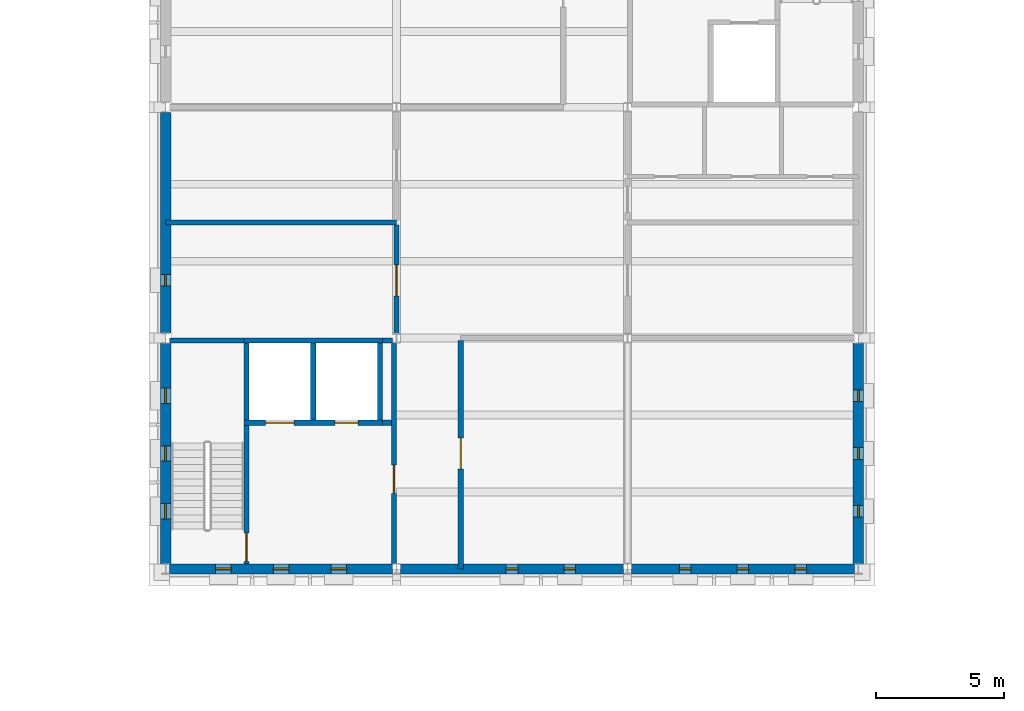
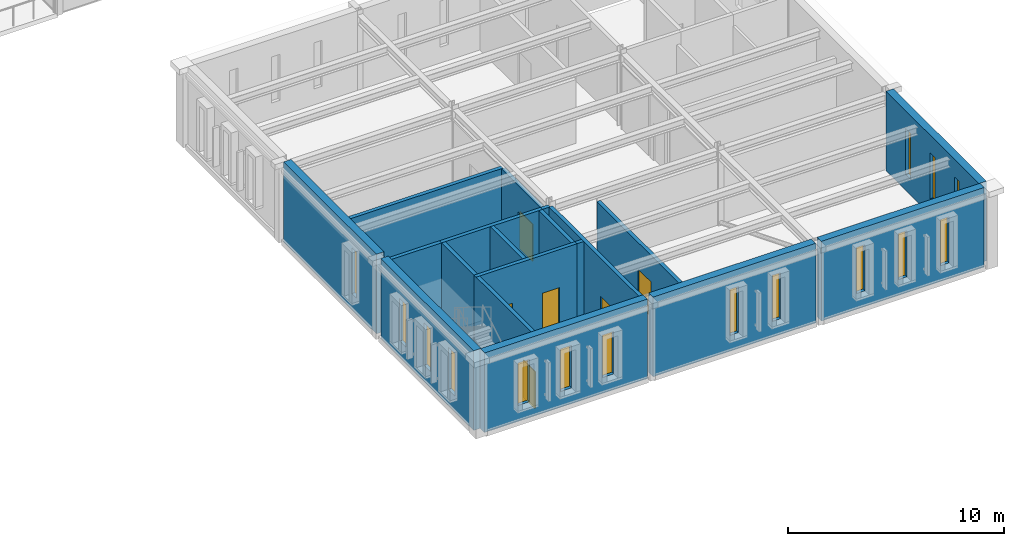
# One storey, part 49 of 70: 19 walls, 15 windows, 6 doors, 21 openings.
"""IFC4 building model written with IfcOpenShell, lengths in metres."""

import ifcopenshell
import ifcopenshell.guid

model = None  # the IFC model being written
_history = None  # IfcOwnerHistory: only IFC2X3 demands one
_inside = {}  # id of a spatial element -> (the spatial element, [elements in it])
_under = {}  # id of a project, library or spatial element -> (it, [spatial elements below it])
_declared = {}  # id of a project -> (the project, [libraries it declares])
_typed = {}  # id of a type object -> (the type object, [elements of that type])
_made_of = {}  # id of a material, layer set ... -> (it, [elements and type objects made of it])


def new_model(schema):
    """Start an empty IFC model of exactly this schema.

    Asked for "IFC4X3", IfcOpenShell would pick the latest addendum, in which some entities
    have other attributes; the version numbers below select the first issue.
    IFC2X3 requires an IfcOwnerHistory on every rooted entity: one is made here for all.
    """
    global model, _history
    if schema == "IFC4X3":
        model = ifcopenshell.file(schema_version=(4, 3, 0, 0))
    else:
        model = ifcopenshell.file(schema=schema)
    _inside.clear()
    _under.clear()
    _declared.clear()
    _typed.clear()
    _made_of.clear()
    _history = None
    if model.schema == "IFC2X3":
        org = make("IfcOrganization", Name="unknown")
        user = make(
            "IfcPersonAndOrganization",
            ThePerson=make("IfcPerson", FamilyName="unknown"),
            TheOrganization=org,
        )
        app = make(
            "IfcApplication",
            ApplicationDeveloper=org,
            Version="unknown",
            ApplicationFullName="unknown",
            ApplicationIdentifier="unknown",
        )
        _history = make(
            "IfcOwnerHistory",
            OwningUser=user,
            OwningApplication=app,
            ChangeAction="ADDED",
            CreationDate=0,
        )
    return model


def make(cls, **values):
    """One entity of the class cls with the attributes given. An attribute that is None is left unset."""
    return model.create_entity(
        cls, **{name: value for name, value in values.items() if value is not None}
    )


def rooted(cls, **values):
    """An entity with a GlobalId (a new one), such as an element, a storey or a relation."""
    return make(cls, GlobalId=ifcopenshell.guid.new(), OwnerHistory=_history, **values)


def si_unit(unit_type, name, prefix=None):
    """IfcSIUnit, for example si_unit("LENGTHUNIT", "METRE", prefix="MILLI")."""
    return make("IfcSIUnit", UnitType=unit_type, Prefix=prefix, Name=name)


def assignment(units):
    """IfcUnitAssignment: the units of a project."""
    return None if units is None else make("IfcUnitAssignment", Units=units)


def point(xyz):
    """IfcCartesianPoint."""
    return None if xyz is None else make("IfcCartesianPoint", Coordinates=xyz)


def direction(xyz):
    """IfcDirection."""
    return None if xyz is None else make("IfcDirection", DirectionRatios=xyz)


def frame(location, z_axis=None, x_axis=None):
    """IfcAxis2Placement3D, a coordinate frame: its origin and axes. An axis left out is left unset."""
    return make(
        "IfcAxis2Placement3D",
        Location=point(location),
        Axis=direction(z_axis),
        RefDirection=direction(x_axis),
    )


def frame_2d(location, x_axis=None):
    """IfcAxis2Placement2D, a coordinate frame in the plane: its origin and x axis."""
    return make(
        "IfcAxis2Placement2D", Location=point(location), RefDirection=direction(x_axis)
    )


def origin():
    """The frame at (0, 0, 0) with its axes left unset."""
    return frame((0.0, 0.0, 0.0))


def place(relative_to, where):
    """IfcLocalPlacement: puts the frame where relative to a parent placement (None: the world)."""
    return make(
        "IfcLocalPlacement", PlacementRelTo=relative_to, RelativePlacement=where
    )


def context(
    kind, dimensions, precision=None, world=None, true_north=None, identifier=None
):
    """IfcGeometricRepresentationContext, for example the 3D "Model" context."""
    return make(
        "IfcGeometricRepresentationContext",
        ContextIdentifier=identifier,
        ContextType=kind,
        CoordinateSpaceDimension=dimensions,
        Precision=precision,
        WorldCoordinateSystem=world,
        TrueNorth=true_north,
    )


def subcontext(parent, identifier, kind, view, scale=None):
    """IfcGeometricRepresentationSubContext, for example "Body" below "Model"."""
    return make(
        "IfcGeometricRepresentationSubContext",
        ContextIdentifier=identifier,
        ContextType=kind,
        ParentContext=parent,
        TargetScale=scale,
        TargetView=view,
    )


def project(units=None, contexts=None):
    """IfcProject with its units and contexts."""
    return rooted(
        "IfcProject",
        Name="project",
        RepresentationContexts=contexts,
        UnitsInContext=assignment(units),
    )


def spatial(cls, under=None, at=None, **own):
    """A site, building, storey or space (cls), placed at a placement, below another one or the project."""
    s = rooted(cls, ObjectPlacement=at, **own)
    if under is not None:
        _under.setdefault(under.id(), (under, []))[1].append(s)
    return s


def profile(cls, at=None, kind="AREA", **sizes):
    """A parametric profile (cls). Its sizes go by their IFC names, for example OverallWidth=200.0."""
    return make(cls, ProfileType=kind, Position=at, **sizes)


def rectangle(**sizes):
    """IfcRectangleProfileDef."""
    return profile("IfcRectangleProfileDef", **sizes)


def extrude(swept, where, along, depth):
    """IfcExtrudedAreaSolid: the profile swept, set in the frame where, extruded along a direction by depth."""
    return make(
        "IfcExtrudedAreaSolid",
        SweptArea=swept,
        Position=where,
        ExtrudedDirection=direction(along),
        Depth=depth,
    )


def shape(context_of_items, identifier, shape_type, items):
    """IfcShapeRepresentation: the items that make up one representation, for example the "Body"."""
    return make(
        "IfcShapeRepresentation",
        ContextOfItems=context_of_items,
        RepresentationIdentifier=identifier,
        RepresentationType=shape_type,
        Items=items,
    )


def material(Name=None, Category=None):
    """IfcMaterial."""
    return make("IfcMaterial", Name=Name, Category=Category)


def layer(
    of_material, thickness, ventilated=None, Name=None, Category=None, Priority=None
):
    """IfcMaterialLayer: one layer of a wall or slab, of a material (None: an air gap)."""
    return make(
        "IfcMaterialLayer",
        Material=of_material,
        LayerThickness=thickness,
        IsVentilated=ventilated,
        Name=Name,
        Category=Category,
        Priority=Priority,
    )


def layer_set(layers, Name=None):
    """IfcMaterialLayerSet."""
    return make("IfcMaterialLayerSet", MaterialLayers=layers, LayerSetName=Name)


def made_of(thing, what):
    """Note that an element or type object is made of a material, layer set ...; save() writes the relation."""
    if what is not None:
        _made_of.setdefault(what.id(), (what, []))[1].append(thing)
    return thing


def type_object(cls, material=None, **own):
    """A type object (cls), such as IfcWallType, which elements share."""
    return made_of(rooted(cls, **own), material)


def element(
    cls,
    number,
    at=None,
    inside=None,
    cuts=None,
    type_object=None,
    material=None,
    context=None,
    identifier="Body",
    shape_type=None,
    held_by="IfcProductDefinitionShape",
    body=None,
    shapes=None,
    **own,
):
    """One element of the class cls, such as IfcWall. Its Tag is "e" and its number.

    at: its placement. inside: the storey or other place that contains it. cuts: it is an
    opening in that element (IfcRelVoidsElement). A single representation is given by context,
    identifier, shape_type and body (its items); several are given by shapes. held_by: the class
    of the entity that holds the representations. save() writes the other relations.
    """
    e = rooted(cls, Tag="e%d" % number, ObjectPlacement=at, **own)
    if body is not None:
        shapes = [shape(context, identifier, shape_type, body)]
    if shapes is not None:
        e.Representation = make(held_by, Representations=shapes)
    if inside is not None:
        _inside.setdefault(inside.id(), (inside, []))[1].append(e)
    if cuts is not None:
        rooted(
            "IfcRelVoidsElement", RelatingBuildingElement=cuts, RelatedOpeningElement=e
        )
    if type_object is not None:
        _typed.setdefault(type_object.id(), (type_object, []))[1].append(e)
    return made_of(e, material)


def fill(opening, filler):
    """IfcRelFillsElement: the door or window that sits in an opening."""
    return rooted(
        "IfcRelFillsElement",
        RelatingOpeningElement=opening,
        RelatedBuildingElement=filler,
    )


def aggregate(whole, parts):
    """IfcRelAggregates: a whole, such as a stair, and the parts it consists of."""
    return rooted("IfcRelAggregates", RelatingObject=whole, RelatedObjects=parts)


def save(model, path):
    """Write the relations noted so far, then the file.

    IfcRelAggregates (storeys below a building ...), IfcRelContainedInSpatialStructure (elements
    in a storey), IfcRelDefinesByType, IfcRelAssociatesMaterial and IfcRelDeclares: one each for
    every whole, place, type object, material and project.
    """
    for whole, parts in _under.values():
        aggregate(whole, parts)
    for where, things in _inside.values():
        rooted(
            "IfcRelContainedInSpatialStructure",
            RelatedElements=things,
            RelatingStructure=where,
        )
    for kind, things in _typed.values():
        rooted("IfcRelDefinesByType", RelatedObjects=things, RelatingType=kind)
    for what, things in _made_of.values():
        rooted("IfcRelAssociatesMaterial", RelatedObjects=things, RelatingMaterial=what)
    for by, libraries in _declared.values():
        rooted("IfcRelDeclares", RelatingContext=by, RelatedDefinitions=libraries)
    model.write(path)


model = new_model("IFC4")

# Units and contexts
model_context = context("Model", 3, precision=1e-05, world=origin(), true_north=direction((0.0, 1.0)))
body_context = subcontext(model_context, "Body", "Model", "MODEL_VIEW")
ifc_project = project(units=[si_unit("LENGTHUNIT", "METRE"), si_unit("AREAUNIT", "SQUARE_METRE"), si_unit("VOLUMEUNIT", "CUBIC_METRE"), si_unit("PLANEANGLEUNIT", "RADIAN"), si_unit("MASSUNIT", "GRAM", prefix="KILO")], contexts=[model_context])

# Site, building, storey
site_placement = place(None, origin())
site = spatial("IfcSite", under=ifc_project, at=site_placement, CompositionType="ELEMENT")
building_placement = place(site_placement, origin())
building = spatial("IfcBuilding", under=site, at=building_placement, Name="Kallimachos Central Library", CompositionType="ELEMENT")
storey_placement = place(building_placement, frame((0.0, 0.0, 18.89990234375)))
storey = spatial("IfcBuildingStorey", under=building, at=storey_placement, Name="L04", CompositionType="ELEMENT", Elevation=18.89990234375)

# Wall
ifc_material_1 = material(Name="Concrete C30/37", Category="concrete")
ifc_layer_1 = layer(ifc_material_1, 0.199951171875)
ifc_layer_set_1 = layer_set([ifc_layer_1], Name="Compartment wall 200")
wall_type_1 = type_object("IfcWallType", Name="Compartment wall 200", PredefinedType="SOLIDWALL", material=ifc_layer_set_1)
wall_1_placement = place(storey_placement, frame((74.5, 31.5, 0.0), z_axis=(0.0, 0.0, 1.0), x_axis=(1.0, 0.0, 0.0)))
element("IfcWall", 1, at=wall_1_placement, inside=storey, type_object=wall_type_1, Name="V5-WAL-L04-033", PredefinedType="SOLIDWALL", context=body_context, shape_type="SweptSolid", body=[
    extrude(rectangle(XDim=9.0, YDim=0.199951171875, at=frame_2d((4.5, 0.0))), origin(), (0.0, 0.0, 1.0), 3.60009765625),
])

# Wall, opening, door
wall_2_placement = place(storey_placement, frame((83.5, 27.179931640625, 0.0), z_axis=(0.0, 0.0, 1.0), x_axis=(0.0, 1.0, 0.0)))
wall_2 = element("IfcWall", 2, at=wall_2_placement, inside=storey, type_object=wall_type_1, Name="V5-WAL-L04-038", PredefinedType="SOLIDWALL", context=body_context, shape_type="SweptSolid", body=[
    extrude(rectangle(XDim=4.219970703125, YDim=0.199951171875, at=frame_2d((2.10986328125, 0.0))), origin(), (0.0, 0.0, 1.0), 3.60009765625),
])
opening_1_placement = place(wall_2_placement, frame((1.469970703125, 0.0, 0.0)))
opening_1 = element("IfcOpeningElement", 3, at=opening_1_placement, cuts=wall_2, Name="Opening D135", PredefinedType="OPENING", context=body_context, shape_type="SweptSolid", body=[
    extrude(rectangle(XDim=1.199951171875, YDim=2.10009765625, at=frame_2d((0.60009765625, 1.050048828125))), frame((0.0, 0.10986328125, 0.0), z_axis=(0.0, -1.0, 0.0), x_axis=(1.0, 0.0, 0.0)), (0.0, 0.0, 1.0), 0.219970703125),
])
ifc_material_2 = material(Name="Steel fire door", Category="steel")
door_type_1 = type_object("IfcDoorType", Name="Fire door EI2 90 1200 x 2100", OperationType="DOUBLE_DOOR_SINGLE_SWING", PredefinedType="DOOR", material=ifc_material_2)
door_1_placement = place(opening_1_placement, origin())
door_1 = element("IfcDoor", 4, at=door_1_placement, inside=storey, type_object=door_type_1, Name="Closed Stacks 3 door", OperationType="DOUBLE_DOOR_SINGLE_SWING", OverallHeight=2.10009765625, OverallWidth=1.199951171875, PredefinedType="DOOR", context=body_context, shape_type="SweptSolid", body=[
    extrude(rectangle(XDim=1.199951171875, YDim=2.10009765625, at=frame_2d((0.60009765625, 1.050048828125))), frame((0.0, 0.02490234375, 0.0), z_axis=(0.0, -1.0, 0.0), x_axis=(1.0, 0.0, 0.0)), (0.0, 0.0, 1.0), 0.050048828125),
])
fill(opening_1, door_1)

wall_3_placement = place(storey_placement, frame((86.0, 18.0, 0.0), z_axis=(0.0, 0.0, 1.0), x_axis=(0.0, 1.0, 0.0)))
wall_3 = element("IfcWall", 5, at=wall_3_placement, inside=storey, type_object=wall_type_1, Name="V5-WAL-L04-040", PredefinedType="SOLIDWALL", context=body_context, shape_type="SweptSolid", body=[
    extrude(rectangle(XDim=8.89990234375, YDim=0.199951171875, at=frame_2d((4.449951171875, 0.0))), origin(), (0.0, 0.0, 1.0), 3.60009765625),
])
opening_2_placement = place(wall_3_placement, frame((3.89990234375, 0.0, 0.0)))
opening_2 = element("IfcOpeningElement", 6, at=opening_2_placement, cuts=wall_3, Name="Opening D138", PredefinedType="OPENING", context=body_context, shape_type="SweptSolid", body=[
    extrude(rectangle(XDim=1.199951171875, YDim=2.10009765625, at=frame_2d((0.60009765625, 1.050048828125))), frame((0.0, 0.10986328125, 0.0), z_axis=(0.0, -1.0, 0.0), x_axis=(1.0, 0.0, 0.0)), (0.0, 0.0, 1.0), 0.219970703125),
])
door_2_placement = place(opening_2_placement, origin())
door_2 = element("IfcDoor", 7, at=door_2_placement, inside=storey, type_object=door_type_1, Name="Archive Store 3 door", OperationType="DOUBLE_DOOR_SINGLE_SWING", OverallHeight=2.10009765625, OverallWidth=1.199951171875, PredefinedType="DOOR", context=body_context, shape_type="SweptSolid", body=[
    extrude(rectangle(XDim=1.199951171875, YDim=2.10009765625, at=frame_2d((0.60009765625, 1.050048828125))), frame((0.0, 0.02490234375, 0.0), z_axis=(0.0, -1.0, 0.0), x_axis=(1.0, 0.0, 0.0)), (0.0, 0.0, 1.0), 0.050048828125),
])
fill(opening_2, door_2)

# Walls
ifc_material_3 = material(Name="Concrete C30/37", Category="concrete")
ifc_layer_2 = layer(ifc_material_3, 0.199951171875)
ifc_layer_set_2 = layer_set([ifc_layer_2], Name="Core wall 200")
wall_type_2 = type_object("IfcWallType", Name="Core wall 200", PredefinedType="SOLIDWALL", material=ifc_layer_set_2)
wall_4_placement = place(storey_placement, frame((74.64990234375, 26.89990234375, 0.0), z_axis=(0.0, 0.0, 1.0), x_axis=(1.0, 0.0, 0.0)))
element("IfcWall", 8, at=wall_4_placement, inside=storey, type_object=wall_type_2, Name="V5-WAL-L04-022", PredefinedType="SOLIDWALL", context=body_context, shape_type="SweptSolid", body=[
    extrude(rectangle(XDim=2.900146484375, YDim=0.199951171875, at=frame_2d((1.4501953125, 0.0))), origin(), (0.0, 0.0, 1.0), 4.25),
])
wall_5_placement = place(storey_placement, frame((82.949951171875, 26.89990234375, 0.0), z_axis=(0.0, 0.0, 1.0), x_axis=(1.0, 0.0, 0.0)))
element("IfcWall", 9, at=wall_5_placement, inside=storey, type_object=wall_type_2, Name="V5-WAL-L04-023", PredefinedType="SOLIDWALL", context=body_context, shape_type="SweptSolid", body=[
    extrude(rectangle(XDim=0.400146484375, YDim=0.199951171875, at=frame_2d((0.2001953125, 0.0))), origin(), (0.0, 0.0, 1.0), 4.25),
])

# Wall, opening, door
wall_6_placement = place(storey_placement, frame((83.39990234375, 18.199951171875, 0.0), z_axis=(0.0, 0.0, 1.0), x_axis=(0.0, 1.0, 0.0)))
wall_6 = element("IfcWall", 10, at=wall_6_placement, inside=storey, type_object=wall_type_2, Name="V5-WAL-L04-024", PredefinedType="SOLIDWALL", context=body_context, shape_type="SweptSolid", body=[
    extrude(rectangle(XDim=8.6201171875, YDim=0.199951171875, at=frame_2d((4.31005859375, 0.0))), origin(), (0.0, 0.0, 1.0), 4.25),
])
opening_3_placement = place(wall_6_placement, frame((2.75, 0.0, 0.0)))
opening_3 = element("IfcOpeningElement", 11, at=opening_3_placement, cuts=wall_6, Name="Opening D132", PredefinedType="OPENING", context=body_context, shape_type="SweptSolid", body=[
    extrude(rectangle(XDim=1.10009765625, YDim=2.10009765625, at=frame_2d((0.550048828125, 1.050048828125))), frame((0.0, 0.10986328125, 0.0), z_axis=(0.0, -1.0, 0.0), x_axis=(1.0, 0.0, 0.0)), (0.0, 0.0, 1.0), 0.219970703125),
])
ifc_material_4 = material(Name="Steel fire door", Category="steel")
door_type_2 = type_object("IfcDoorType", Name="Fire door EI2 90 1100 x 2100", OperationType="NOTDEFINED", PredefinedType="DOOR", material=ifc_material_4)
door_3_placement = place(opening_3_placement, origin())
door_3 = element("IfcDoor", 12, at=door_3_placement, inside=storey, type_object=door_type_2, Name="ST13 lobby door L04", OperationType="SINGLE_SWING_RIGHT", OverallHeight=2.10009765625, OverallWidth=1.10009765625, PredefinedType="DOOR", context=body_context, shape_type="SweptSolid", body=[
    extrude(rectangle(XDim=1.10009765625, YDim=2.10009765625, at=frame_2d((0.550048828125, 1.050048828125))), frame((0.0, 0.02490234375, 0.0), z_axis=(0.0, -1.0, 0.0), x_axis=(1.0, 0.0, 0.0)), (0.0, 0.0, 1.0), 0.050048828125),
])
fill(opening_3, door_3)

wall_7_placement = place(storey_placement, frame((77.64990234375, 18.199951171875, 0.0), z_axis=(0.0, 0.0, 1.0), x_axis=(0.0, 1.0, 0.0)))
wall_7 = element("IfcWall", 13, at=wall_7_placement, inside=storey, type_object=wall_type_2, Name="V5-WAL-L04-025", PredefinedType="SOLIDWALL", context=body_context, shape_type="SweptSolid", body=[
    extrude(rectangle(XDim=5.60009765625, YDim=0.199951171875, at=frame_2d((2.800048828125, 0.0))), origin(), (0.0, 0.0, 1.0), 4.25),
])
opening_4_placement = place(wall_7_placement, frame((0.10009765625, 0.0, 0.0)))
opening_4 = element("IfcOpeningElement", 14, at=opening_4_placement, cuts=wall_7, Name="Opening D131", PredefinedType="OPENING", context=body_context, shape_type="SweptSolid", body=[
    extrude(rectangle(XDim=1.10009765625, YDim=2.10009765625, at=frame_2d((0.550048828125, 1.050048828125))), frame((0.0, 0.10986328125, 0.0), z_axis=(0.0, -1.0, 0.0), x_axis=(1.0, 0.0, 0.0)), (0.0, 0.0, 1.0), 0.219970703125),
])
door_4_placement = place(opening_4_placement, origin())
door_4 = element("IfcDoor", 15, at=door_4_placement, inside=storey, type_object=door_type_2, Name="ST13 stair door L04", OperationType="SINGLE_SWING_RIGHT", OverallHeight=2.10009765625, OverallWidth=1.10009765625, PredefinedType="DOOR", context=body_context, shape_type="SweptSolid", body=[
    extrude(rectangle(XDim=1.10009765625, YDim=2.10009765625, at=frame_2d((0.550048828125, 1.050048828125))), frame((0.0, 0.02490234375, 0.0), z_axis=(0.0, -1.0, 0.0), x_axis=(1.0, 0.0, 0.0)), (0.0, 0.0, 1.0), 0.050048828125),
])
fill(opening_4, door_4)

# Wall
wall_8_placement = place(storey_placement, frame((82.949951171875, 23.699951171875, 0.0), z_axis=(0.0, 0.0, 1.0), x_axis=(1.0, 0.0, 0.0)))
element("IfcWall", 16, at=wall_8_placement, inside=storey, type_object=wall_type_2, Name="V5-WAL-L04-026", PredefinedType="SOLIDWALL", context=body_context, shape_type="SweptSolid", body=[
    extrude(rectangle(XDim=0.35009765625, YDim=0.199951171875, at=frame_2d((0.175048828125, 0.0))), origin(), (0.0, 0.0, 1.0), 4.25),
])

# Wall, openings, doors
ifc_material_5 = material(Name="Concrete C30/37", Category="concrete")
ifc_layer_3 = layer(ifc_material_5, 0.199951171875)
ifc_layer_set_3 = layer_set([ifc_layer_3], Name="Lift shaft wall 200")
wall_type_3 = type_object("IfcWallType", Name="Lift shaft wall 200", PredefinedType="SOLIDWALL", material=ifc_layer_set_3)
wall_9_placement = place(storey_placement, frame((77.550048828125, 23.699951171875, 0.0), z_axis=(0.0, 0.0, 1.0), x_axis=(1.0, 0.0, 0.0)))
wall_9 = element("IfcWall", 17, at=wall_9_placement, inside=storey, type_object=wall_type_3, Name="V5-WAL-L04-001", PredefinedType="SOLIDWALL", context=body_context, shape_type="SweptSolid", body=[
    extrude(rectangle(XDim=5.39990234375, YDim=0.199951171875, at=frame_2d((2.699951171875, 0.0))), origin(), (0.0, 0.0, 1.0), 4.25),
])
opening_5_placement = place(wall_9_placement, frame((0.85009765625, 0.0, 0.0)))
opening_5 = element("IfcOpeningElement", 18, at=opening_5_placement, cuts=wall_9, Name="Opening LD1100", PredefinedType="OPENING", context=body_context, shape_type="SweptSolid", body=[
    extrude(rectangle(XDim=1.10009765625, YDim=2.10009765625, at=frame_2d((0.550048828125, 1.050048828125))), frame((0.0, 0.10986328125, 0.0), z_axis=(0.0, -1.0, 0.0), x_axis=(1.0, 0.0, 0.0)), (0.0, 0.0, 1.0), 0.219970703125),
])
opening_6_placement = place(wall_9_placement, frame((3.550048828125, 0.0, 0.0)))
opening_6 = element("IfcOpeningElement", 19, at=opening_6_placement, cuts=wall_9, Name="Opening LD900", PredefinedType="OPENING", context=body_context, shape_type="SweptSolid", body=[
    extrude(rectangle(XDim=0.89990234375, YDim=2.10009765625, at=frame_2d((0.449951171875, 1.050048828125))), frame((0.0, 0.10986328125, 0.0), z_axis=(0.0, -1.0, 0.0), x_axis=(1.0, 0.0, 0.0)), (0.0, 0.0, 1.0), 0.219970703125),
])
ifc_material_6 = material(Name="Stainless steel", Category="steel")
door_type_3 = type_object("IfcDoorType", Name="Lift landing door 1100 x 2100", OperationType="SLIDING_TO_LEFT", PredefinedType="DOOR", material=ifc_material_6)
door_5_placement = place(opening_5_placement, origin())
door_5 = element("IfcDoor", 20, at=door_5_placement, inside=storey, type_object=door_type_3, Name="LF11 landing door L04", OperationType="SLIDING_TO_LEFT", OverallHeight=2.10009765625, OverallWidth=1.10009765625, PredefinedType="DOOR", context=body_context, shape_type="SweptSolid", body=[
    extrude(rectangle(XDim=1.10009765625, YDim=2.10009765625, at=frame_2d((0.550048828125, 1.050048828125))), frame((0.0, 0.02490234375, 0.0), z_axis=(0.0, -1.0, 0.0), x_axis=(1.0, 0.0, 0.0)), (0.0, 0.0, 1.0), 0.050048828125),
])
fill(opening_5, door_5)
ifc_material_7 = material(Name="Stainless steel", Category="steel")
door_type_4 = type_object("IfcDoorType", Name="Lift landing door 900 x 2100", OperationType="SLIDING_TO_LEFT", PredefinedType="DOOR", material=ifc_material_7)
door_6_placement = place(opening_6_placement, origin())
door_6 = element("IfcDoor", 21, at=door_6_placement, inside=storey, type_object=door_type_4, Name="LF12 landing door L04", OperationType="SLIDING_TO_LEFT", OverallHeight=2.10009765625, OverallWidth=0.89990234375, PredefinedType="DOOR", context=body_context, shape_type="SweptSolid", body=[
    extrude(rectangle(XDim=0.89990234375, YDim=2.10009765625, at=frame_2d((0.449951171875, 1.050048828125))), frame((0.0, 0.02490234375, 0.0), z_axis=(0.0, -1.0, 0.0), x_axis=(1.0, 0.0, 0.0)), (0.0, 0.0, 1.0), 0.050048828125),
])
fill(opening_6, door_6)

# Walls
wall_10_placement = place(storey_placement, frame((77.550048828125, 26.89990234375, 0.0), z_axis=(0.0, 0.0, 1.0), x_axis=(1.0, 0.0, 0.0)))
element("IfcWall", 22, at=wall_10_placement, inside=storey, type_object=wall_type_3, Name="V5-WAL-L04-002", PredefinedType="SOLIDWALL", context=body_context, shape_type="SweptSolid", body=[
    extrude(rectangle(XDim=5.39990234375, YDim=0.199951171875, at=frame_2d((2.699951171875, 0.0))), origin(), (0.0, 0.0, 1.0), 4.25),
])
for number, where, z_axis, x_axis, name in (
    (23, (77.64990234375, 23.800048828125, 0.0), (0.0, 0.0, 1.0), (0.0, 1.0, 0.0), "V5-WAL-L04-003"),
    (24, (80.25, 23.800048828125, 0.0), (0.0, 0.0, 1.0), (0.0, 1.0, 0.0), "V5-WAL-L04-004"),
    (25, (82.85009765625, 23.800048828125, 0.0), (0.0, 0.0, 1.0), (0.0, 1.0, 0.0), "V5-WAL-L04-005"),
):
    element("IfcWall", number, at=place(storey_placement, frame(where, z_axis=z_axis, x_axis=x_axis)), inside=storey, type_object=wall_type_3, Name=name, PredefinedType="SOLIDWALL", context=body_context, shape_type="SweptSolid", body=[
        extrude(rectangle(XDim=3.0, YDim=0.199951171875, at=frame_2d((1.5, 0.0))), origin(), (0.0, 0.0, 1.0), 4.25),
    ])

# Wall, openings, windows
ifc_material_8 = material(Name="Pentelic marble masonry", Category="masonry")
ifc_layer_4 = layer(ifc_material_8, 0.39990234375)
ifc_layer_set_4 = layer_set([ifc_layer_4], Name="Stone masonry wall 400")
wall_type_4 = type_object("IfcWallType", Name="Stone masonry wall 400", PredefinedType="SOLIDWALL", material=ifc_layer_set_4)
wall_11_placement = place(storey_placement, frame((83.64990234375, 18.0, 0.0), z_axis=(0.0, 0.0, 1.0), x_axis=(1.0, 0.0, 0.0)))
wall_11 = element("IfcWall", 26, at=wall_11_placement, inside=storey, type_object=wall_type_4, Name="V5-WAL-L04-011", PredefinedType="SOLIDWALL", context=body_context, shape_type="SweptSolid", body=[
    extrude(rectangle(XDim=8.7001953125, YDim=0.39990234375, at=frame_2d((4.35009765625, 0.0))), origin(), (0.0, 0.0, 1.0), 4.5),
])
opening_7_placement = place(wall_11_placement, frame((4.125, 0.0, 0.89990234375)))
opening_7 = element("IfcOpeningElement", 27, at=opening_7_placement, cuts=wall_11, Name="Opening WN134", PredefinedType="OPENING", context=body_context, shape_type="SweptSolid", body=[
    extrude(rectangle(XDim=0.449951171875, YDim=2.60009765625, at=frame_2d((0.22509765625, 1.300048828125))), frame((0.0, 0.2099609375, 0.0), z_axis=(0.0, -1.0, 0.0), x_axis=(1.0, 0.0, 0.0)), (0.0, 0.0, 1.0), 0.419921875),
])
opening_8_placement = place(wall_11_placement, frame((6.375, 0.0, 0.89990234375)))
opening_8 = element("IfcOpeningElement", 28, at=opening_8_placement, cuts=wall_11, Name="Opening WN135", PredefinedType="OPENING", context=body_context, shape_type="SweptSolid", body=[
    extrude(rectangle(XDim=0.449951171875, YDim=2.60009765625, at=frame_2d((0.22509765625, 1.300048828125))), frame((0.0, 0.2099609375, 0.0), z_axis=(0.0, -1.0, 0.0), x_axis=(1.0, 0.0, 0.0)), (0.0, 0.0, 1.0), 0.419921875),
])
ifc_material_9 = material(Name="Anodised aluminium and laminated glass", Category="aluminium")
window_type_1 = type_object("IfcWindowType", Name="Stack slot window 450 x 2600", PartitioningType="SINGLE_PANEL", PredefinedType="WINDOW", material=ifc_material_9)
window_1_placement = place(opening_7_placement, origin())
window_1 = element("IfcWindow", 29, at=window_1_placement, inside=storey, type_object=window_type_1, Name="V5-WIN-L04-004", OverallHeight=2.60009765625, OverallWidth=0.449951171875, PartitioningType="SINGLE_PANEL", PredefinedType="WINDOW", context=body_context, shape_type="SweptSolid", body=[
    extrude(rectangle(XDim=0.449951171875, YDim=2.60009765625, at=frame_2d((0.22509765625, 1.300048828125))), frame((0.0, 0.030029296875, 0.0), z_axis=(0.0, -1.0, 0.0), x_axis=(1.0, 0.0, 0.0)), (0.0, 0.0, 1.0), 0.06005859375),
])
fill(opening_7, window_1)
window_2_placement = place(opening_8_placement, origin())
window_2 = element("IfcWindow", 30, at=window_2_placement, inside=storey, type_object=window_type_1, Name="V5-WIN-L04-005", OverallHeight=2.60009765625, OverallWidth=0.449951171875, PartitioningType="SINGLE_PANEL", PredefinedType="WINDOW", context=body_context, shape_type="SweptSolid", body=[
    extrude(rectangle(XDim=0.449951171875, YDim=2.60009765625, at=frame_2d((0.22509765625, 1.300048828125))), frame((0.0, 0.030029296875, 0.0), z_axis=(0.0, -1.0, 0.0), x_axis=(1.0, 0.0, 0.0)), (0.0, 0.0, 1.0), 0.06005859375),
])
fill(opening_8, window_2)

wall_12_placement = place(storey_placement, frame((92.64990234375, 18.0, 0.0), z_axis=(0.0, 0.0, 1.0), x_axis=(1.0, 0.0, 0.0)))
wall_12 = element("IfcWall", 31, at=wall_12_placement, inside=storey, type_object=wall_type_4, Name="V5-WAL-L04-012", PredefinedType="SOLIDWALL", context=body_context, shape_type="SweptSolid", body=[
    extrude(rectangle(XDim=8.7001953125, YDim=0.39990234375, at=frame_2d((4.35009765625, 0.0))), origin(), (0.0, 0.0, 1.0), 4.5),
])
opening_9_placement = place(wall_12_placement, frame((1.875, 0.0, 0.89990234375)))
opening_9 = element("IfcOpeningElement", 32, at=opening_9_placement, cuts=wall_12, Name="Opening WN136", PredefinedType="OPENING", context=body_context, shape_type="SweptSolid", body=[
    extrude(rectangle(XDim=0.449951171875, YDim=2.60009765625, at=frame_2d((0.22509765625, 1.300048828125))), frame((0.0, 0.2099609375, 0.0), z_axis=(0.0, -1.0, 0.0), x_axis=(1.0, 0.0, 0.0)), (0.0, 0.0, 1.0), 0.419921875),
])
opening_10_placement = place(wall_12_placement, frame((4.125, 0.0, 0.89990234375)))
opening_10 = element("IfcOpeningElement", 33, at=opening_10_placement, cuts=wall_12, Name="Opening WN137", PredefinedType="OPENING", context=body_context, shape_type="SweptSolid", body=[
    extrude(rectangle(XDim=0.449951171875, YDim=2.60009765625, at=frame_2d((0.22509765625, 1.300048828125))), frame((0.0, 0.2099609375, 0.0), z_axis=(0.0, -1.0, 0.0), x_axis=(1.0, 0.0, 0.0)), (0.0, 0.0, 1.0), 0.419921875),
])
opening_11_placement = place(wall_12_placement, frame((6.375, 0.0, 0.89990234375)))
opening_11 = element("IfcOpeningElement", 34, at=opening_11_placement, cuts=wall_12, Name="Opening WN138", PredefinedType="OPENING", context=body_context, shape_type="SweptSolid", body=[
    extrude(rectangle(XDim=0.449951171875, YDim=2.60009765625, at=frame_2d((0.22509765625, 1.300048828125))), frame((0.0, 0.2099609375, 0.0), z_axis=(0.0, -1.0, 0.0), x_axis=(1.0, 0.0, 0.0)), (0.0, 0.0, 1.0), 0.419921875),
])
window_3_placement = place(opening_9_placement, origin())
window_3 = element("IfcWindow", 35, at=window_3_placement, inside=storey, type_object=window_type_1, Name="V5-WIN-L04-006", OverallHeight=2.60009765625, OverallWidth=0.449951171875, PartitioningType="SINGLE_PANEL", PredefinedType="WINDOW", context=body_context, shape_type="SweptSolid", body=[
    extrude(rectangle(XDim=0.449951171875, YDim=2.60009765625, at=frame_2d((0.22509765625, 1.300048828125))), frame((0.0, 0.030029296875, 0.0), z_axis=(0.0, -1.0, 0.0), x_axis=(1.0, 0.0, 0.0)), (0.0, 0.0, 1.0), 0.06005859375),
])
fill(opening_9, window_3)
window_4_placement = place(opening_10_placement, origin())
window_4 = element("IfcWindow", 36, at=window_4_placement, inside=storey, type_object=window_type_1, Name="V5-WIN-L04-007", OverallHeight=2.60009765625, OverallWidth=0.449951171875, PartitioningType="SINGLE_PANEL", PredefinedType="WINDOW", context=body_context, shape_type="SweptSolid", body=[
    extrude(rectangle(XDim=0.449951171875, YDim=2.60009765625, at=frame_2d((0.22509765625, 1.300048828125))), frame((0.0, 0.030029296875, 0.0), z_axis=(0.0, -1.0, 0.0), x_axis=(1.0, 0.0, 0.0)), (0.0, 0.0, 1.0), 0.06005859375),
])
fill(opening_10, window_4)
window_5_placement = place(opening_11_placement, origin())
window_5 = element("IfcWindow", 37, at=window_5_placement, inside=storey, type_object=window_type_1, Name="V5-WIN-L04-008", OverallHeight=2.60009765625, OverallWidth=0.449951171875, PartitioningType="SINGLE_PANEL", PredefinedType="WINDOW", context=body_context, shape_type="SweptSolid", body=[
    extrude(rectangle(XDim=0.449951171875, YDim=2.60009765625, at=frame_2d((0.22509765625, 1.300048828125))), frame((0.0, 0.030029296875, 0.0), z_axis=(0.0, -1.0, 0.0), x_axis=(1.0, 0.0, 0.0)), (0.0, 0.0, 1.0), 0.06005859375),
])
fill(opening_11, window_5)

# Wall, opening, window
wall_13_placement = place(storey_placement, frame((74.5, 27.199951171875, 0.0), z_axis=(0.0, 0.0, 1.0), x_axis=(0.0, 1.0, 0.0)))
wall_13 = element("IfcWall", 38, at=wall_13_placement, inside=storey, type_object=wall_type_4, Name="V5-WAL-L04-017", PredefinedType="SOLIDWALL", context=body_context, shape_type="SweptSolid", body=[
    extrude(rectangle(XDim=8.60009765625, YDim=0.39990234375, at=frame_2d((4.300048828125, 0.0))), origin(), (0.0, 0.0, 1.0), 4.5),
])
opening_12_placement = place(wall_13_placement, frame((1.824951171875, 0.0, 0.89990234375)))
opening_12 = element("IfcOpeningElement", 39, at=opening_12_placement, cuts=wall_13, Name="Opening WN150", PredefinedType="OPENING", context=body_context, shape_type="SweptSolid", body=[
    extrude(rectangle(XDim=0.449951171875, YDim=2.60009765625, at=frame_2d((0.22509765625, 1.300048828125))), frame((0.0, 0.2099609375, 0.0), z_axis=(0.0, -1.0, 0.0), x_axis=(1.0, 0.0, 0.0)), (0.0, 0.0, 1.0), 0.419921875),
])
window_6_placement = place(opening_12_placement, origin())
window_6 = element("IfcWindow", 40, at=window_6_placement, inside=storey, type_object=window_type_1, Name="V5-WIN-L04-020", OverallHeight=2.60009765625, OverallWidth=0.449951171875, PartitioningType="SINGLE_PANEL", PredefinedType="WINDOW", context=body_context, shape_type="SweptSolid", body=[
    extrude(rectangle(XDim=0.449951171875, YDim=2.60009765625, at=frame_2d((0.22509765625, 1.300048828125))), frame((0.0, 0.030029296875, 0.0), z_axis=(0.0, -1.0, 0.0), x_axis=(1.0, 0.0, 0.0)), (0.0, 0.0, 1.0), 0.06005859375),
])
fill(opening_12, window_6)

# Wall, openings, windows
wall_14_placement = place(storey_placement, frame((101.5, 18.199951171875, 0.0), z_axis=(0.0, 0.0, 1.0), x_axis=(0.0, 1.0, 0.0)))
wall_14 = element("IfcWall", 41, at=wall_14_placement, inside=storey, type_object=wall_type_4, Name="V5-WAL-L04-019", PredefinedType="SOLIDWALL", context=body_context, shape_type="SweptSolid", body=[
    extrude(rectangle(XDim=8.60009765625, YDim=0.39990234375, at=frame_2d((4.300048828125, 0.0))), origin(), (0.0, 0.0, 1.0), 4.5),
])
opening_13_placement = place(wall_14_placement, frame((1.824951171875, 0.0, 0.89990234375)))
opening_13 = element("IfcOpeningElement", 42, at=opening_13_placement, cuts=wall_14, Name="Opening WN154", PredefinedType="OPENING", context=body_context, shape_type="SweptSolid", body=[
    extrude(rectangle(XDim=0.449951171875, YDim=2.60009765625, at=frame_2d((0.22509765625, 1.300048828125))), frame((0.0, 0.2099609375, 0.0), z_axis=(0.0, -1.0, 0.0), x_axis=(1.0, 0.0, 0.0)), (0.0, 0.0, 1.0), 0.419921875),
])
opening_14_placement = place(wall_14_placement, frame((4.074951171875, 0.0, 0.89990234375)))
opening_14 = element("IfcOpeningElement", 43, at=opening_14_placement, cuts=wall_14, Name="Opening WN155", PredefinedType="OPENING", context=body_context, shape_type="SweptSolid", body=[
    extrude(rectangle(XDim=0.449951171875, YDim=2.60009765625, at=frame_2d((0.22509765625, 1.300048828125))), frame((0.0, 0.2099609375, 0.0), z_axis=(0.0, -1.0, 0.0), x_axis=(1.0, 0.0, 0.0)), (0.0, 0.0, 1.0), 0.419921875),
])
opening_15_placement = place(wall_14_placement, frame((6.324951171875, 0.0, 0.89990234375)))
opening_15 = element("IfcOpeningElement", 44, at=opening_15_placement, cuts=wall_14, Name="Opening WN156", PredefinedType="OPENING", context=body_context, shape_type="SweptSolid", body=[
    extrude(rectangle(XDim=0.449951171875, YDim=2.60009765625, at=frame_2d((0.22509765625, 1.300048828125))), frame((0.0, 0.2099609375, 0.0), z_axis=(0.0, -1.0, 0.0), x_axis=(1.0, 0.0, 0.0)), (0.0, 0.0, 1.0), 0.419921875),
])
window_7_placement = place(opening_13_placement, origin())
window_7 = element("IfcWindow", 45, at=window_7_placement, inside=storey, type_object=window_type_1, Name="V5-WIN-L04-024", OverallHeight=2.60009765625, OverallWidth=0.449951171875, PartitioningType="SINGLE_PANEL", PredefinedType="WINDOW", context=body_context, shape_type="SweptSolid", body=[
    extrude(rectangle(XDim=0.449951171875, YDim=2.60009765625, at=frame_2d((0.22509765625, 1.300048828125))), frame((0.0, 0.030029296875, 0.0), z_axis=(0.0, -1.0, 0.0), x_axis=(1.0, 0.0, 0.0)), (0.0, 0.0, 1.0), 0.06005859375),
])
fill(opening_13, window_7)
window_8_placement = place(opening_14_placement, origin())
window_8 = element("IfcWindow", 46, at=window_8_placement, inside=storey, type_object=window_type_1, Name="V5-WIN-L04-025", OverallHeight=2.60009765625, OverallWidth=0.449951171875, PartitioningType="SINGLE_PANEL", PredefinedType="WINDOW", context=body_context, shape_type="SweptSolid", body=[
    extrude(rectangle(XDim=0.449951171875, YDim=2.60009765625, at=frame_2d((0.22509765625, 1.300048828125))), frame((0.0, 0.030029296875, 0.0), z_axis=(0.0, -1.0, 0.0), x_axis=(1.0, 0.0, 0.0)), (0.0, 0.0, 1.0), 0.06005859375),
])
fill(opening_14, window_8)
window_9_placement = place(opening_15_placement, origin())
window_9 = element("IfcWindow", 47, at=window_9_placement, inside=storey, type_object=window_type_1, Name="V5-WIN-L04-026", OverallHeight=2.60009765625, OverallWidth=0.449951171875, PartitioningType="SINGLE_PANEL", PredefinedType="WINDOW", context=body_context, shape_type="SweptSolid", body=[
    extrude(rectangle(XDim=0.449951171875, YDim=2.60009765625, at=frame_2d((0.22509765625, 1.300048828125))), frame((0.0, 0.030029296875, 0.0), z_axis=(0.0, -1.0, 0.0), x_axis=(1.0, 0.0, 0.0)), (0.0, 0.0, 1.0), 0.06005859375),
])
fill(opening_15, window_9)

ifc_material_10 = material(Name="Concrete C30/37", Category="concrete")
ifc_layer_5 = layer(ifc_material_10, 0.39990234375)
ifc_layer_set_5 = layer_set([ifc_layer_5], Name="Stone-clad core wall 400")
wall_type_5 = type_object("IfcWallType", Name="Stone-clad core wall 400", PredefinedType="SOLIDWALL", material=ifc_layer_set_5)
wall_15_placement = place(storey_placement, frame((74.64990234375, 18.0, 0.0), z_axis=(0.0, 0.0, 1.0), x_axis=(1.0, 0.0, 0.0)))
wall_15 = element("IfcWall", 48, at=wall_15_placement, inside=storey, type_object=wall_type_5, Name="V5-WAL-L04-010", PredefinedType="SOLIDWALL", context=body_context, shape_type="SweptSolid", body=[
    extrude(rectangle(XDim=8.7001953125, YDim=0.39990234375, at=frame_2d((4.35009765625, 0.0))), origin(), (0.0, 0.0, 1.0), 4.5),
])
opening_16_placement = place(wall_15_placement, frame((1.800048828125, 0.0, 0.89990234375)))
opening_16 = element("IfcOpeningElement", 49, at=opening_16_placement, cuts=wall_15, Name="Opening WN131", PredefinedType="OPENING", context=body_context, shape_type="SweptSolid", body=[
    extrude(rectangle(XDim=0.60009765625, YDim=2.39990234375, at=frame_2d((0.300048828125, 1.199951171875))), frame((0.0, 0.2099609375, 0.0), z_axis=(0.0, -1.0, 0.0), x_axis=(1.0, 0.0, 0.0)), (0.0, 0.0, 1.0), 0.419921875),
])
opening_17_placement = place(wall_15_placement, frame((4.050048828125, 0.0, 0.89990234375)))
opening_17 = element("IfcOpeningElement", 50, at=opening_17_placement, cuts=wall_15, Name="Opening WN132", PredefinedType="OPENING", context=body_context, shape_type="SweptSolid", body=[
    extrude(rectangle(XDim=0.60009765625, YDim=2.39990234375, at=frame_2d((0.300048828125, 1.199951171875))), frame((0.0, 0.2099609375, 0.0), z_axis=(0.0, -1.0, 0.0), x_axis=(1.0, 0.0, 0.0)), (0.0, 0.0, 1.0), 0.419921875),
])
opening_18_placement = place(wall_15_placement, frame((6.300048828125, 0.0, 0.89990234375)))
opening_18 = element("IfcOpeningElement", 51, at=opening_18_placement, cuts=wall_15, Name="Opening WN133", PredefinedType="OPENING", context=body_context, shape_type="SweptSolid", body=[
    extrude(rectangle(XDim=0.60009765625, YDim=2.39990234375, at=frame_2d((0.300048828125, 1.199951171875))), frame((0.0, 0.2099609375, 0.0), z_axis=(0.0, -1.0, 0.0), x_axis=(1.0, 0.0, 0.0)), (0.0, 0.0, 1.0), 0.419921875),
])
ifc_material_11 = material(Name="Anodised aluminium and laminated glass", Category="aluminium")
window_type_2 = type_object("IfcWindowType", Name="Slot window 600 x 2400", PartitioningType="SINGLE_PANEL", PredefinedType="WINDOW", material=ifc_material_11)
window_10_placement = place(opening_16_placement, origin())
window_10 = element("IfcWindow", 52, at=window_10_placement, inside=storey, type_object=window_type_2, Name="V5-WIN-L04-001", OverallHeight=2.39990234375, OverallWidth=0.60009765625, PartitioningType="SINGLE_PANEL", PredefinedType="WINDOW", context=body_context, shape_type="SweptSolid", body=[
    extrude(rectangle(XDim=0.60009765625, YDim=2.39990234375, at=frame_2d((0.300048828125, 1.199951171875))), frame((0.0, 0.030029296875, 0.0), z_axis=(0.0, -1.0, 0.0), x_axis=(1.0, 0.0, 0.0)), (0.0, 0.0, 1.0), 0.06005859375),
])
fill(opening_16, window_10)
window_11_placement = place(opening_17_placement, origin())
window_11 = element("IfcWindow", 53, at=window_11_placement, inside=storey, type_object=window_type_2, Name="V5-WIN-L04-002", OverallHeight=2.39990234375, OverallWidth=0.60009765625, PartitioningType="SINGLE_PANEL", PredefinedType="WINDOW", context=body_context, shape_type="SweptSolid", body=[
    extrude(rectangle(XDim=0.60009765625, YDim=2.39990234375, at=frame_2d((0.300048828125, 1.199951171875))), frame((0.0, 0.030029296875, 0.0), z_axis=(0.0, -1.0, 0.0), x_axis=(1.0, 0.0, 0.0)), (0.0, 0.0, 1.0), 0.06005859375),
])
fill(opening_17, window_11)
window_12_placement = place(opening_18_placement, origin())
window_12 = element("IfcWindow", 54, at=window_12_placement, inside=storey, type_object=window_type_2, Name="V5-WIN-L04-003", OverallHeight=2.39990234375, OverallWidth=0.60009765625, PartitioningType="SINGLE_PANEL", PredefinedType="WINDOW", context=body_context, shape_type="SweptSolid", body=[
    extrude(rectangle(XDim=0.60009765625, YDim=2.39990234375, at=frame_2d((0.300048828125, 1.199951171875))), frame((0.0, 0.030029296875, 0.0), z_axis=(0.0, -1.0, 0.0), x_axis=(1.0, 0.0, 0.0)), (0.0, 0.0, 1.0), 0.06005859375),
])
fill(opening_18, window_12)

wall_16_placement = place(storey_placement, frame((74.5, 18.199951171875, 0.0), z_axis=(0.0, 0.0, 1.0), x_axis=(0.0, 1.0, 0.0)))
wall_16 = element("IfcWall", 55, at=wall_16_placement, inside=storey, type_object=wall_type_5, Name="V5-WAL-L04-016", PredefinedType="SOLIDWALL", context=body_context, shape_type="SweptSolid", body=[
    extrude(rectangle(XDim=8.60009765625, YDim=0.39990234375, at=frame_2d((4.300048828125, 0.0))), origin(), (0.0, 0.0, 1.0), 4.5),
])
opening_19_placement = place(wall_16_placement, frame((1.75, 0.0, 0.89990234375)))
opening_19 = element("IfcOpeningElement", 56, at=opening_19_placement, cuts=wall_16, Name="Opening WN147", PredefinedType="OPENING", context=body_context, shape_type="SweptSolid", body=[
    extrude(rectangle(XDim=0.60009765625, YDim=2.39990234375, at=frame_2d((0.300048828125, 1.199951171875))), frame((0.0, 0.2099609375, 0.0), z_axis=(0.0, -1.0, 0.0), x_axis=(1.0, 0.0, 0.0)), (0.0, 0.0, 1.0), 0.419921875),
])
opening_20_placement = place(wall_16_placement, frame((4.0, 0.0, 0.89990234375)))
opening_20 = element("IfcOpeningElement", 57, at=opening_20_placement, cuts=wall_16, Name="Opening WN148", PredefinedType="OPENING", context=body_context, shape_type="SweptSolid", body=[
    extrude(rectangle(XDim=0.60009765625, YDim=2.39990234375, at=frame_2d((0.300048828125, 1.199951171875))), frame((0.0, 0.2099609375, 0.0), z_axis=(0.0, -1.0, 0.0), x_axis=(1.0, 0.0, 0.0)), (0.0, 0.0, 1.0), 0.419921875),
])
opening_21_placement = place(wall_16_placement, frame((6.25, 0.0, 0.89990234375)))
opening_21 = element("IfcOpeningElement", 58, at=opening_21_placement, cuts=wall_16, Name="Opening WN149", PredefinedType="OPENING", context=body_context, shape_type="SweptSolid", body=[
    extrude(rectangle(XDim=0.60009765625, YDim=2.39990234375, at=frame_2d((0.300048828125, 1.199951171875))), frame((0.0, 0.2099609375, 0.0), z_axis=(0.0, -1.0, 0.0), x_axis=(1.0, 0.0, 0.0)), (0.0, 0.0, 1.0), 0.419921875),
])
window_13_placement = place(opening_19_placement, origin())
window_13 = element("IfcWindow", 59, at=window_13_placement, inside=storey, type_object=window_type_2, Name="V5-WIN-L04-017", OverallHeight=2.39990234375, OverallWidth=0.60009765625, PartitioningType="SINGLE_PANEL", PredefinedType="WINDOW", context=body_context, shape_type="SweptSolid", body=[
    extrude(rectangle(XDim=0.60009765625, YDim=2.39990234375, at=frame_2d((0.300048828125, 1.199951171875))), frame((0.0, 0.030029296875, 0.0), z_axis=(0.0, -1.0, 0.0), x_axis=(1.0, 0.0, 0.0)), (0.0, 0.0, 1.0), 0.06005859375),
])
fill(opening_19, window_13)
window_14_placement = place(opening_20_placement, origin())
window_14 = element("IfcWindow", 60, at=window_14_placement, inside=storey, type_object=window_type_2, Name="V5-WIN-L04-018", OverallHeight=2.39990234375, OverallWidth=0.60009765625, PartitioningType="SINGLE_PANEL", PredefinedType="WINDOW", context=body_context, shape_type="SweptSolid", body=[
    extrude(rectangle(XDim=0.60009765625, YDim=2.39990234375, at=frame_2d((0.300048828125, 1.199951171875))), frame((0.0, 0.030029296875, 0.0), z_axis=(0.0, -1.0, 0.0), x_axis=(1.0, 0.0, 0.0)), (0.0, 0.0, 1.0), 0.06005859375),
])
fill(opening_20, window_14)
window_15_placement = place(opening_21_placement, origin())
window_15 = element("IfcWindow", 61, at=window_15_placement, inside=storey, type_object=window_type_2, Name="V5-WIN-L04-019", OverallHeight=2.39990234375, OverallWidth=0.60009765625, PartitioningType="SINGLE_PANEL", PredefinedType="WINDOW", context=body_context, shape_type="SweptSolid", body=[
    extrude(rectangle(XDim=0.60009765625, YDim=2.39990234375, at=frame_2d((0.300048828125, 1.199951171875))), frame((0.0, 0.030029296875, 0.0), z_axis=(0.0, -1.0, 0.0), x_axis=(1.0, 0.0, 0.0)), (0.0, 0.0, 1.0), 0.06005859375),
])
fill(opening_21, window_15)

save(model, "model.ifc")
